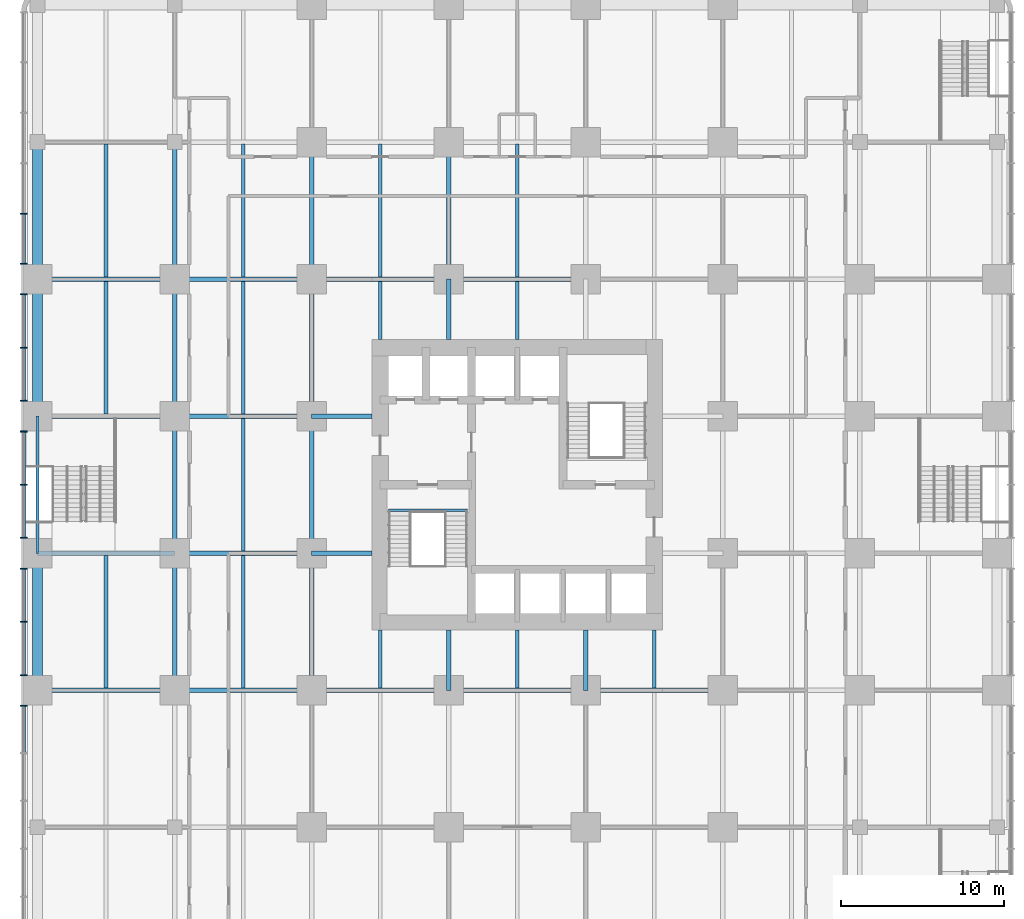
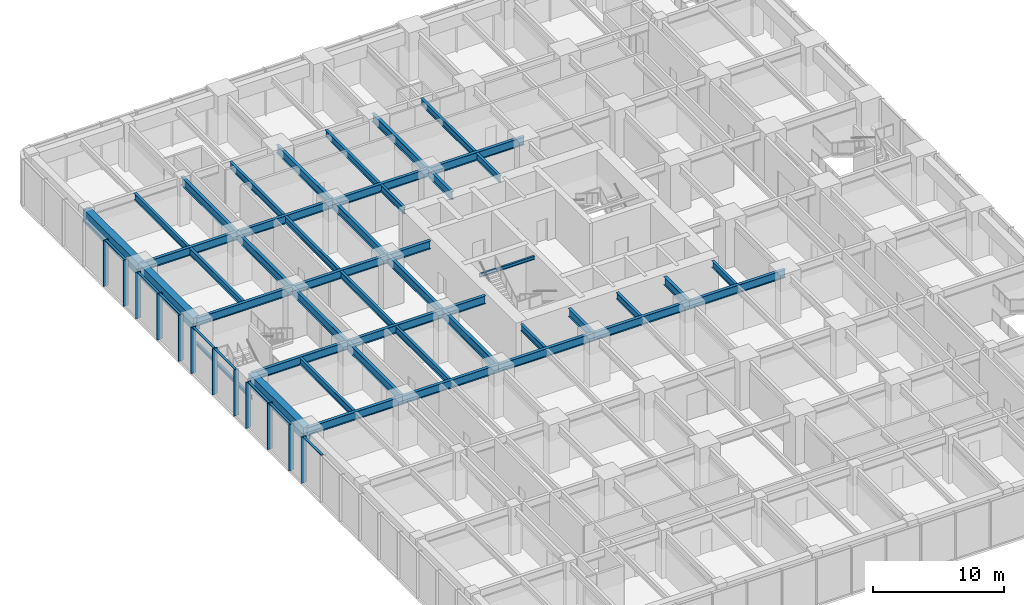
# One storey, part 5 of 19: 46 beams, 20 members, 1 element without a shape of its own.
"""IFC4 building model written with IfcOpenShell, lengths in metres."""

from ifc_helpers import new_model, si_unit, direction, frame, origin, origin_2d, place, context, subcontext, project, spatial, rectangle, i_section, extrude, material, material_profile, profile_set, type_object, element, aggregate, save


model = new_model("IFC4")

# Units and contexts
model_context = context("Model", 3, precision=1e-05, world=origin(), true_north=direction((0.0, 1.0)))
body_context = subcontext(model_context, "Body", "Model", "MODEL_VIEW")
ifc_project = project(units=[si_unit("LENGTHUNIT", "METRE"), si_unit("AREAUNIT", "SQUARE_METRE"), si_unit("VOLUMEUNIT", "CUBIC_METRE"), si_unit("PLANEANGLEUNIT", "RADIAN"), si_unit("MASSUNIT", "GRAM", prefix="KILO")], contexts=[model_context])

# Site, building, storey
site_placement = place(None, origin())
site = spatial("IfcSite", under=ifc_project, at=site_placement, CompositionType="ELEMENT")
building_placement = place(site_placement, origin())
building = spatial("IfcBuilding", under=site, at=building_placement, Name="Torre Alcanfor", CompositionType="ELEMENT")
storey_placement = place(building_placement, frame((0.0, 0.0, 6.0)))
storey = spatial("IfcBuildingStorey", under=building, at=storey_placement, Name="L01", CompositionType="ELEMENT", Elevation=6.0)

# Curtain wall, members
ifc_material_1 = material(Name="Aluminium and glass", Category="aluminium")
curtain_wall_type = type_object("IfcCurtainWallType", Name="CW-B unitised classroom glazing with vertical FIN", PredefinedType="NOTDEFINED", material=ifc_material_1)
curtain_wall_placement = place(storey_placement, origin())
curtain_wall = element("IfcCurtainWall", 1, at=curtain_wall_placement, inside=storey, type_object=curtain_wall_type, Name="Curtain wall CW-B L01 3", PredefinedType="NOTDEFINED")
ifc_material_2 = material(Name="Bronze anodised aluminium", Category="aluminium")
ifc_material_profile_1 = material_profile(ifc_material_2, rectangle(XDim=0.449951171875, YDim=0.06494140625, at=origin_2d()), Name="CW-B mullion 65x450")
ifc_profile_set_1 = profile_set([ifc_material_profile_1], Name="Bronze anodised aluminium")
member_type_1 = type_object("IfcMemberType", Name="CW-B mullion with vertical FIN 65x450", PredefinedType="MULLION", material=ifc_profile_set_1)
member_1_placement = place(storey_placement, frame((-0.85009765625, 46.00390625, 0.0), z_axis=(0.0, 0.0, 1.0), x_axis=(1.0, 0.0, 0.0)))
member_1 = element("IfcMember", 2, at=member_1_placement, type_object=member_type_1, Name="CW-B mullion 1.5", PredefinedType="MULLION", context=body_context, shape_type="SweptSolid", body=[
    extrude(rectangle(XDim=0.449951171875, YDim=0.06494140625, at=origin_2d()), origin(), (0.0, 0.0, 1.0), 4.300048828125),
])
member_2_placement = place(storey_placement, frame((-0.85009765625, 42.9375, 0.0), z_axis=(0.0, 0.0, 1.0), x_axis=(1.0, 0.0, 0.0)))
member_2 = element("IfcMember", 3, at=member_2_placement, type_object=member_type_1, Name="CW-B mullion 1.6", PredefinedType="MULLION", context=body_context, shape_type="SweptSolid", body=[
    extrude(rectangle(XDim=0.449951171875, YDim=0.06494140625, at=origin_2d()), origin(), (0.0, 0.0, 1.0), 4.300048828125),
])
member_3_placement = place(storey_placement, frame((-0.85009765625, 41.0625, 0.0), z_axis=(0.0, 0.0, 1.0), x_axis=(1.0, 0.0, 0.0)))
member_3 = element("IfcMember", 4, at=member_3_placement, type_object=member_type_1, Name="CW-B mullion 2.1", PredefinedType="MULLION", context=body_context, shape_type="SweptSolid", body=[
    extrude(rectangle(XDim=0.449951171875, YDim=0.06494140625, at=origin_2d()), origin(), (0.0, 0.0, 1.0), 4.300048828125),
])
member_4_placement = place(storey_placement, frame((-0.85009765625, 37.800048828125, 0.0), z_axis=(0.0, 0.0, 1.0), x_axis=(1.0, 0.0, 0.0)))
member_4 = element("IfcMember", 5, at=member_4_placement, type_object=member_type_1, Name="CW-B mullion 2.2", PredefinedType="MULLION", context=body_context, shape_type="SweptSolid", body=[
    extrude(rectangle(XDim=0.449951171875, YDim=0.06494140625, at=origin_2d()), origin(), (0.0, 0.0, 1.0), 4.300048828125),
])
member_5_placement = place(storey_placement, frame((-0.85009765625, 34.53759765625, 0.0), z_axis=(0.0, 0.0, 1.0), x_axis=(1.0, 0.0, 0.0)))
member_5 = element("IfcMember", 6, at=member_5_placement, type_object=member_type_1, Name="CW-B mullion 2.3", PredefinedType="MULLION", context=body_context, shape_type="SweptSolid", body=[
    extrude(rectangle(XDim=0.449951171875, YDim=0.06494140625, at=origin_2d()), origin(), (0.0, 0.0, 1.0), 4.300048828125),
])
member_6_placement = place(storey_placement, frame((-0.85009765625, 32.66259765625, 0.0), z_axis=(0.0, 0.0, 1.0), x_axis=(1.0, 0.0, 0.0)))
member_6 = element("IfcMember", 7, at=member_6_placement, type_object=member_type_1, Name="CW-B mullion 3.1", PredefinedType="MULLION", context=body_context, shape_type="SweptSolid", body=[
    extrude(rectangle(XDim=0.449951171875, YDim=0.06494140625, at=origin_2d()), origin(), (0.0, 0.0, 1.0), 4.300048828125),
])
member_7_placement = place(storey_placement, frame((-0.85009765625, 29.39990234375, 0.0), z_axis=(0.0, 0.0, 1.0), x_axis=(1.0, 0.0, 0.0)))
member_7 = element("IfcMember", 8, at=member_7_placement, type_object=member_type_1, Name="CW-B mullion 3.2", PredefinedType="MULLION", context=body_context, shape_type="SweptSolid", body=[
    extrude(rectangle(XDim=0.449951171875, YDim=0.06494140625, at=origin_2d()), origin(), (0.0, 0.0, 1.0), 4.300048828125),
])
member_8_placement = place(storey_placement, frame((-0.85009765625, 26.137451171875, 0.0), z_axis=(0.0, 0.0, 1.0), x_axis=(1.0, 0.0, 0.0)))
member_8 = element("IfcMember", 9, at=member_8_placement, type_object=member_type_1, Name="CW-B mullion 3.3", PredefinedType="MULLION", context=body_context, shape_type="SweptSolid", body=[
    extrude(rectangle(XDim=0.449951171875, YDim=0.06494140625, at=origin_2d()), origin(), (0.0, 0.0, 1.0), 4.300048828125),
])
member_9_placement = place(storey_placement, frame((-0.85009765625, 24.262451171875, 0.0), z_axis=(0.0, 0.0, 1.0), x_axis=(1.0, 0.0, 0.0)))
member_9 = element("IfcMember", 10, at=member_9_placement, type_object=member_type_1, Name="CW-B mullion 4.1", PredefinedType="MULLION", context=body_context, shape_type="SweptSolid", body=[
    extrude(rectangle(XDim=0.449951171875, YDim=0.06494140625, at=origin_2d()), origin(), (0.0, 0.0, 1.0), 4.300048828125),
])
member_10_placement = place(storey_placement, frame((-0.85009765625, 21.0, 0.0), z_axis=(0.0, 0.0, 1.0), x_axis=(1.0, 0.0, 0.0)))
member_10 = element("IfcMember", 11, at=member_10_placement, type_object=member_type_1, Name="CW-B mullion 4.2", PredefinedType="MULLION", context=body_context, shape_type="SweptSolid", body=[
    extrude(rectangle(XDim=0.449951171875, YDim=0.06494140625, at=origin_2d()), origin(), (0.0, 0.0, 1.0), 4.300048828125),
])
member_11_placement = place(storey_placement, frame((-0.85009765625, 17.737548828125, 0.0), z_axis=(0.0, 0.0, 1.0), x_axis=(1.0, 0.0, 0.0)))
member_11 = element("IfcMember", 12, at=member_11_placement, type_object=member_type_1, Name="CW-B mullion 4.3", PredefinedType="MULLION", context=body_context, shape_type="SweptSolid", body=[
    extrude(rectangle(XDim=0.449951171875, YDim=0.06494140625, at=origin_2d()), origin(), (0.0, 0.0, 1.0), 4.300048828125),
])
member_12_placement = place(storey_placement, frame((-0.85009765625, 15.862548828125, 0.0), z_axis=(0.0, 0.0, 1.0), x_axis=(1.0, 0.0, 0.0)))
member_12 = element("IfcMember", 13, at=member_12_placement, type_object=member_type_1, Name="CW-B mullion 5.1", PredefinedType="MULLION", context=body_context, shape_type="SweptSolid", body=[
    extrude(rectangle(XDim=0.449951171875, YDim=0.06494140625, at=origin_2d()), origin(), (0.0, 0.0, 1.0), 4.300048828125),
])
ifc_material_3 = material(Name="Extruded aluminium", Category="aluminium")
ifc_material_profile_2 = material_profile(ifc_material_3, rectangle(XDim=0.199951171875, YDim=0.06494140625, at=origin_2d()), Name="CW-B transom 200x65")
ifc_profile_set_2 = profile_set([ifc_material_profile_2], Name="Extruded aluminium")
member_type_2 = type_object("IfcMemberType", Name="CW-B transom 65x200", PredefinedType="USERDEFINED", material=ifc_profile_set_2)
member_13_placement = place(storey_placement, frame((-0.85009765625, 45.971435546875, 4.267578125), z_axis=(0.0, -1.0, 0.0), x_axis=(1.0, 0.0, 0.0)))
member_13 = element("IfcMember", 14, at=member_13_placement, type_object=member_type_2, Name="CW-B transom 1.5.2", ObjectType="TRANSOM", PredefinedType="USERDEFINED", context=body_context, shape_type="SweptSolid", body=[
    extrude(rectangle(XDim=0.199951171875, YDim=0.06494140625, at=origin_2d()), origin(), (0.0, 0.0, 1.0), 3.00146484375),
])
member_14_placement = place(storey_placement, frame((-0.85009765625, 41.030029296875, 4.267578125), z_axis=(0.0, -1.0, 0.0), x_axis=(1.0, 0.0, 0.0)))
member_14 = element("IfcMember", 15, at=member_14_placement, type_object=member_type_2, Name="CW-B transom 2.1.2", ObjectType="TRANSOM", PredefinedType="USERDEFINED", context=body_context, shape_type="SweptSolid", body=[
    extrude(rectangle(XDim=0.199951171875, YDim=0.06494140625, at=origin_2d()), origin(), (0.0, 0.0, 1.0), 3.197509765625),
])
member_15_placement = place(storey_placement, frame((-0.85009765625, 37.767578125, 4.267578125), z_axis=(0.0, -1.0, 0.0), x_axis=(1.0, 0.0, 0.0)))
member_15 = element("IfcMember", 16, at=member_15_placement, type_object=member_type_2, Name="CW-B transom 2.2.2", ObjectType="TRANSOM", PredefinedType="USERDEFINED", context=body_context, shape_type="SweptSolid", body=[
    extrude(rectangle(XDim=0.199951171875, YDim=0.06494140625, at=origin_2d()), origin(), (0.0, 0.0, 1.0), 3.197509765625),
])
member_16_placement = place(storey_placement, frame((-0.85009765625, 32.6298828125, 4.267578125), z_axis=(0.0, -1.0, 0.0), x_axis=(1.0, 0.0, 0.0)))
member_16 = element("IfcMember", 17, at=member_16_placement, type_object=member_type_2, Name="CW-B transom 3.1.2", ObjectType="TRANSOM", PredefinedType="USERDEFINED", context=body_context, shape_type="SweptSolid", body=[
    extrude(rectangle(XDim=0.199951171875, YDim=0.06494140625, at=origin_2d()), origin(), (0.0, 0.0, 1.0), 3.197265625),
])
member_17_placement = place(storey_placement, frame((-0.85009765625, 29.367431640625, 4.267578125), z_axis=(0.0, -1.0, 0.0), x_axis=(1.0, 0.0, 0.0)))
member_17 = element("IfcMember", 18, at=member_17_placement, type_object=member_type_2, Name="CW-B transom 3.2.2", ObjectType="TRANSOM", PredefinedType="USERDEFINED", context=body_context, shape_type="SweptSolid", body=[
    extrude(rectangle(XDim=0.199951171875, YDim=0.06494140625, at=origin_2d()), origin(), (0.0, 0.0, 1.0), 3.197509765625),
])
member_18_placement = place(storey_placement, frame((-0.85009765625, 24.22998046875, 4.267578125), z_axis=(0.0, -1.0, 0.0), x_axis=(1.0, 0.0, 0.0)))
member_18 = element("IfcMember", 19, at=member_18_placement, type_object=member_type_2, Name="CW-B transom 4.1.2", ObjectType="TRANSOM", PredefinedType="USERDEFINED", context=body_context, shape_type="SweptSolid", body=[
    extrude(rectangle(XDim=0.199951171875, YDim=0.06494140625, at=origin_2d()), origin(), (0.0, 0.0, 1.0), 3.197509765625),
])
member_19_placement = place(storey_placement, frame((-0.85009765625, 20.967529296875, 4.267578125), z_axis=(0.0, -1.0, 0.0), x_axis=(1.0, 0.0, 0.0)))
member_19 = element("IfcMember", 20, at=member_19_placement, type_object=member_type_2, Name="CW-B transom 4.2.2", ObjectType="TRANSOM", PredefinedType="USERDEFINED", context=body_context, shape_type="SweptSolid", body=[
    extrude(rectangle(XDim=0.199951171875, YDim=0.06494140625, at=origin_2d()), origin(), (0.0, 0.0, 1.0), 3.197509765625),
])
member_20_placement = place(storey_placement, frame((-0.85009765625, 15.830078125, 4.267578125), z_axis=(0.0, -1.0, 0.0), x_axis=(1.0, 0.0, 0.0)))
member_20 = element("IfcMember", 21, at=member_20_placement, type_object=member_type_2, Name="CW-B transom 5.1.2", ObjectType="TRANSOM", PredefinedType="USERDEFINED", context=body_context, shape_type="SweptSolid", body=[
    extrude(rectangle(XDim=0.199951171875, YDim=0.06494140625, at=origin_2d()), origin(), (0.0, 0.0, 1.0), 2.83837890625),
])
aggregate(curtain_wall, [member_1, member_2, member_13, member_3, member_4, member_5, member_14, member_15, member_6, member_7, member_8, member_16, member_17, member_9, member_10, member_11, member_18, member_19, member_12, member_20])

# Beams
ifc_material_4 = material(Name="Steel ASTM A992 Grade 50", Category="steel")
ifc_material_profile_3 = material_profile(ifc_material_4, i_section(OverallWidth=0.2666015625, OverallDepth=0.7568359375, WebThickness=0.013916015625, FlangeThickness=0.019287109375, at=origin_2d()), Name="W30x108")
ifc_profile_set_3 = profile_set([ifc_material_profile_3], Name="Steel ASTM A992 Grade 50")
beam_type_1 = type_object("IfcBeamType", Name="Girder W30x108", PredefinedType="BEAM", material=ifc_profile_set_3)
beam_1_placement = place(storey_placement, frame((0.0, 16.800048828125, 3.921630859375), z_axis=(1.0, 0.0, 0.0), x_axis=(0.0, 1.0, 0.0)))
element("IfcBeam", 22, at=beam_1_placement, inside=storey, type_object=beam_type_1, Name="Beam 1E-2E under L02", PredefinedType="BEAM", context=body_context, shape_type="SweptSolid", body=[
    extrude(i_section(OverallWidth=0.2666015625, OverallDepth=0.7568359375, WebThickness=0.013916015625, FlangeThickness=0.019287109375, at=origin_2d()), origin(), (0.0, 0.0, 1.0), 8.39990234375),
])
beam_2_placement = place(storey_placement, frame((8.39990234375, 16.800048828125, 3.921630859375), z_axis=(1.0, 0.0, 0.0), x_axis=(0.0, 1.0, 0.0)))
element("IfcBeam", 23, at=beam_2_placement, inside=storey, type_object=beam_type_1, Name="Beam 2E-3E under L02", PredefinedType="BEAM", context=body_context, shape_type="SweptSolid", body=[
    extrude(i_section(OverallWidth=0.2666015625, OverallDepth=0.7568359375, WebThickness=0.013916015625, FlangeThickness=0.019287109375, at=origin_2d()), origin(), (0.0, 0.0, 1.0), 8.400146484375),
])
beam_3_placement = place(storey_placement, frame((16.800048828125, 16.800048828125, 3.921630859375), z_axis=(1.0, 0.0, 0.0), x_axis=(0.0, 1.0, 0.0)))
element("IfcBeam", 24, at=beam_3_placement, inside=storey, type_object=beam_type_1, Name="Beam 3E-4E under L02", PredefinedType="BEAM", context=body_context, shape_type="SweptSolid", body=[
    extrude(i_section(OverallWidth=0.2666015625, OverallDepth=0.7568359375, WebThickness=0.013916015625, FlangeThickness=0.019287109375, at=origin_2d()), origin(), (0.0, 0.0, 1.0), 8.39990234375),
])
beam_4_placement = place(storey_placement, frame((25.199951171875, 16.800048828125, 3.921630859375), z_axis=(1.0, 0.0, 0.0), x_axis=(0.0, 1.0, 0.0)))
element("IfcBeam", 25, at=beam_4_placement, inside=storey, type_object=beam_type_1, Name="Beam 4E-5E under L02", PredefinedType="BEAM", context=body_context, shape_type="SweptSolid", body=[
    extrude(i_section(OverallWidth=0.2666015625, OverallDepth=0.7568359375, WebThickness=0.013916015625, FlangeThickness=0.019287109375, at=origin_2d()), origin(), (0.0, 0.0, 1.0), 8.400146484375),
])
for number, where, z_axis, x_axis, name in (
    (26, (33.60009765625, 16.800048828125, 3.921630859375), (1.0, 0.0, 0.0), (0.0, 1.0, 0.0), "Beam 5E-6E under L02"),
    (27, (0.0, 25.199951171875, 3.921630859375), (1.0, 0.0, 0.0), (0.0, 1.0, 0.0), "Beam 1F-2F under L02"),
):
    element("IfcBeam", number, at=place(storey_placement, frame(where, z_axis=z_axis, x_axis=x_axis)), inside=storey, type_object=beam_type_1, Name=name, PredefinedType="BEAM", context=body_context, shape_type="SweptSolid", body=[
        extrude(i_section(OverallWidth=0.2666015625, OverallDepth=0.7568359375, WebThickness=0.013916015625, FlangeThickness=0.019287109375, at=origin_2d()), origin(), (0.0, 0.0, 1.0), 8.39990234375),
    ])
beam_5_placement = place(storey_placement, frame((8.39990234375, 25.199951171875, 3.921630859375), z_axis=(1.0, 0.0, 0.0), x_axis=(0.0, 1.0, 0.0)))
element("IfcBeam", 28, at=beam_5_placement, inside=storey, type_object=beam_type_1, Name="Beam 2F-3F under L02", PredefinedType="BEAM", context=body_context, shape_type="SweptSolid", body=[
    extrude(i_section(OverallWidth=0.2666015625, OverallDepth=0.7568359375, WebThickness=0.013916015625, FlangeThickness=0.019287109375, at=origin_2d()), origin(), (0.0, 0.0, 1.0), 8.400146484375),
])
beam_6_placement = place(storey_placement, frame((0.0, 33.60009765625, 3.921630859375), z_axis=(1.0, 0.0, 0.0), x_axis=(0.0, 1.0, 0.0)))
element("IfcBeam", 29, at=beam_6_placement, inside=storey, type_object=beam_type_1, Name="Beam 1G-2G under L02", PredefinedType="BEAM", context=body_context, shape_type="SweptSolid", body=[
    extrude(i_section(OverallWidth=0.2666015625, OverallDepth=0.7568359375, WebThickness=0.013916015625, FlangeThickness=0.019287109375, at=origin_2d()), origin(), (0.0, 0.0, 1.0), 8.39990234375),
])
beam_7_placement = place(storey_placement, frame((8.39990234375, 33.60009765625, 3.921630859375), z_axis=(1.0, 0.0, 0.0), x_axis=(0.0, 1.0, 0.0)))
element("IfcBeam", 30, at=beam_7_placement, inside=storey, type_object=beam_type_1, Name="Beam 2G-3G under L02", PredefinedType="BEAM", context=body_context, shape_type="SweptSolid", body=[
    extrude(i_section(OverallWidth=0.2666015625, OverallDepth=0.7568359375, WebThickness=0.013916015625, FlangeThickness=0.019287109375, at=origin_2d()), origin(), (0.0, 0.0, 1.0), 8.400146484375),
])
beam_8_placement = place(storey_placement, frame((0.0, 42.0, 3.921630859375), z_axis=(1.0, 0.0, 0.0), x_axis=(0.0, 1.0, 0.0)))
element("IfcBeam", 31, at=beam_8_placement, inside=storey, type_object=beam_type_1, Name="Beam 1H-2H under L02", PredefinedType="BEAM", context=body_context, shape_type="SweptSolid", body=[
    extrude(i_section(OverallWidth=0.2666015625, OverallDepth=0.7568359375, WebThickness=0.013916015625, FlangeThickness=0.019287109375, at=origin_2d()), origin(), (0.0, 0.0, 1.0), 8.39990234375),
])
beam_9_placement = place(storey_placement, frame((8.39990234375, 42.0, 3.921630859375), z_axis=(1.0, 0.0, 0.0), x_axis=(0.0, 1.0, 0.0)))
element("IfcBeam", 32, at=beam_9_placement, inside=storey, type_object=beam_type_1, Name="Beam 2H-3H under L02", PredefinedType="BEAM", context=body_context, shape_type="SweptSolid", body=[
    extrude(i_section(OverallWidth=0.2666015625, OverallDepth=0.7568359375, WebThickness=0.013916015625, FlangeThickness=0.019287109375, at=origin_2d()), origin(), (0.0, 0.0, 1.0), 8.400146484375),
])
beam_10_placement = place(storey_placement, frame((16.800048828125, 42.0, 3.921630859375), z_axis=(1.0, 0.0, 0.0), x_axis=(0.0, 1.0, 0.0)))
element("IfcBeam", 33, at=beam_10_placement, inside=storey, type_object=beam_type_1, Name="Beam 3H-4H under L02", PredefinedType="BEAM", context=body_context, shape_type="SweptSolid", body=[
    extrude(i_section(OverallWidth=0.2666015625, OverallDepth=0.7568359375, WebThickness=0.013916015625, FlangeThickness=0.019287109375, at=origin_2d()), origin(), (0.0, 0.0, 1.0), 8.39990234375),
])
beam_11_placement = place(storey_placement, frame((25.199951171875, 42.0, 3.921630859375), z_axis=(1.0, 0.0, 0.0), x_axis=(0.0, 1.0, 0.0)))
element("IfcBeam", 34, at=beam_11_placement, inside=storey, type_object=beam_type_1, Name="Beam 4H-5H under L02", PredefinedType="BEAM", context=body_context, shape_type="SweptSolid", body=[
    extrude(i_section(OverallWidth=0.2666015625, OverallDepth=0.7568359375, WebThickness=0.013916015625, FlangeThickness=0.019287109375, at=origin_2d()), origin(), (0.0, 0.0, 1.0), 8.400146484375),
])
beam_12_placement = place(storey_placement, frame((8.39990234375, 16.800048828125, 3.921630859375), z_axis=(0.0, 1.0, 0.0), x_axis=(-1.0, 0.0, 0.0)))
element("IfcBeam", 35, at=beam_12_placement, inside=storey, type_object=beam_type_1, Name="Beam 2E-2F under L02", PredefinedType="BEAM", context=body_context, shape_type="SweptSolid", body=[
    extrude(i_section(OverallWidth=0.2666015625, OverallDepth=0.7568359375, WebThickness=0.013916015625, FlangeThickness=0.019287109375, at=origin_2d()), origin(), (0.0, 0.0, 1.0), 8.39990234375),
])
beam_13_placement = place(storey_placement, frame((8.39990234375, 25.199951171875, 3.921630859375), z_axis=(0.0, 1.0, 0.0), x_axis=(-1.0, 0.0, 0.0)))
element("IfcBeam", 36, at=beam_13_placement, inside=storey, type_object=beam_type_1, Name="Beam 2F-2G under L02", PredefinedType="BEAM", context=body_context, shape_type="SweptSolid", body=[
    extrude(i_section(OverallWidth=0.2666015625, OverallDepth=0.7568359375, WebThickness=0.013916015625, FlangeThickness=0.019287109375, at=origin_2d()), origin(), (0.0, 0.0, 1.0), 8.400146484375),
])
for number, where, z_axis, x_axis, name in (
    (37, (8.39990234375, 33.60009765625, 3.921630859375), (0.0, 1.0, 0.0), (-1.0, 0.0, 0.0), "Beam 2G-2H under L02"),
    (38, (8.39990234375, 42.0, 3.921630859375), (0.0, 1.0, 0.0), (-1.0, 0.0, 0.0), "Beam 2H-2J under L02"),
    (39, (16.800048828125, 16.800048828125, 3.921630859375), (0.0, 1.0, 0.0), (-1.0, 0.0, 0.0), "Beam 3E-3F under L02"),
):
    element("IfcBeam", number, at=place(storey_placement, frame(where, z_axis=z_axis, x_axis=x_axis)), inside=storey, type_object=beam_type_1, Name=name, PredefinedType="BEAM", context=body_context, shape_type="SweptSolid", body=[
        extrude(i_section(OverallWidth=0.2666015625, OverallDepth=0.7568359375, WebThickness=0.013916015625, FlangeThickness=0.019287109375, at=origin_2d()), origin(), (0.0, 0.0, 1.0), 8.39990234375),
    ])
beam_14_placement = place(storey_placement, frame((16.800048828125, 25.199951171875, 3.921630859375), z_axis=(0.0, 1.0, 0.0), x_axis=(-1.0, 0.0, 0.0)))
element("IfcBeam", 40, at=beam_14_placement, inside=storey, type_object=beam_type_1, Name="Beam 3F-3G under L02", PredefinedType="BEAM", context=body_context, shape_type="SweptSolid", body=[
    extrude(i_section(OverallWidth=0.2666015625, OverallDepth=0.7568359375, WebThickness=0.013916015625, FlangeThickness=0.019287109375, at=origin_2d()), origin(), (0.0, 0.0, 1.0), 8.400146484375),
])
for number, where, z_axis, x_axis, name in (
    (41, (16.800048828125, 33.60009765625, 3.921630859375), (0.0, 1.0, 0.0), (-1.0, 0.0, 0.0), "Beam 3G-3H under L02"),
    (42, (16.800048828125, 42.0, 3.921630859375), (0.0, 1.0, 0.0), (-1.0, 0.0, 0.0), "Beam 3H-3J under L02"),
    (43, (25.199951171875, 42.0, 3.921630859375), (0.0, 1.0, 0.0), (-1.0, 0.0, 0.0), "Beam 4H-4J under L02"),
):
    element("IfcBeam", number, at=place(storey_placement, frame(where, z_axis=z_axis, x_axis=x_axis)), inside=storey, type_object=beam_type_1, Name=name, PredefinedType="BEAM", context=body_context, shape_type="SweptSolid", body=[
        extrude(i_section(OverallWidth=0.2666015625, OverallDepth=0.7568359375, WebThickness=0.013916015625, FlangeThickness=0.019287109375, at=origin_2d()), origin(), (0.0, 0.0, 1.0), 8.39990234375),
    ])
ifc_material_5 = material(Name="Steel ASTM A992 Grade 50", Category="steel")
ifc_material_profile_4 = material_profile(ifc_material_5, i_section(OverallWidth=0.2666015625, OverallDepth=0.7568359375, WebThickness=0.013916015625, FlangeThickness=0.019287109375, at=origin_2d()), Name="W30x108")
ifc_profile_set_4 = profile_set([ifc_material_profile_4], Name="Steel ASTM A992 Grade 50")
beam_type_2 = type_object("IfcBeamType", Name="Girder, part bay W30x108", PredefinedType="BEAM", material=ifc_profile_set_4)
for number, where, z_axis, x_axis, name in (
    (44, (25.199951171875, 16.800048828125, 3.921630859375), (0.0, 1.0, 0.0), (-1.0, 0.0, 0.0), "Beam 4E-420_5 under L02"),
    (45, (25.199951171875, 42.0, 3.921630859375), (0.0, -1.0, 0.0), (1.0, 0.0, 0.0), "Beam 4H-438_3 under L02"),
    (46, (33.60009765625, 16.800048828125, 3.921630859375), (0.0, 1.0, 0.0), (-1.0, 0.0, 0.0), "Beam 5E-520_5 under L02"),
    (47, (16.800048828125, 25.199951171875, 3.921630859375), (1.0, 0.0, 0.0), (0.0, 1.0, 0.0), "Beam 3F-20_5F under L02"),
    (48, (16.800048828125, 33.60009765625, 3.921630859375), (1.0, 0.0, 0.0), (0.0, 1.0, 0.0), "Beam 3G-20_5G under L02"),
):
    element("IfcBeam", number, at=place(storey_placement, frame(where, z_axis=z_axis, x_axis=x_axis)), inside=storey, type_object=beam_type_2, Name=name, PredefinedType="BEAM", context=body_context, shape_type="SweptSolid", body=[
        extrude(i_section(OverallWidth=0.2666015625, OverallDepth=0.7568359375, WebThickness=0.013916015625, FlangeThickness=0.019287109375, at=origin_2d()), origin(), (0.0, 0.0, 1.0), 3.699951171875),
    ])
ifc_material_6 = material(Name="Concrete f'c 70 MPa", Category="concrete")
ifc_material_profile_5 = material_profile(ifc_material_6, rectangle(XDim=0.60009765625, YDim=1.199951171875, at=origin_2d()), Name="600x1200")
ifc_profile_set_5 = profile_set([ifc_material_profile_5], Name="Concrete f'c 70 MPa")
beam_type_3 = type_object("IfcBeamType", Name="RC perimeter beam 600x1200", PredefinedType="BEAM", material=ifc_profile_set_5)
for number, where, z_axis, x_axis, name in (
    (49, (0.0, 16.800048828125, 3.699951171875), (0.0, 1.0, 0.0), (-1.0, 0.0, 0.0), "Beam 1E-1F under L02"),
    (50, (0.0, 33.60009765625, 3.699951171875), (0.0, 1.0, 0.0), (-1.0, 0.0, 0.0), "Beam 1G-1H under L02"),
    (51, (0.0, 42.0, 3.699951171875), (0.0, 1.0, 0.0), (-1.0, 0.0, 0.0), "Beam 1H-1J under L02"),
):
    element("IfcBeam", number, at=place(storey_placement, frame(where, z_axis=z_axis, x_axis=x_axis)), inside=storey, type_object=beam_type_3, Name=name, PredefinedType="BEAM", context=body_context, shape_type="SweptSolid", body=[
        extrude(rectangle(XDim=0.60009765625, YDim=1.199951171875, at=origin_2d()), origin(), (0.0, 0.0, 1.0), 8.39990234375),
    ])
ifc_material_7 = material(Name="Steel ASTM A992 Grade 50", Category="steel")
ifc_material_profile_6 = material_profile(ifc_material_7, i_section(OverallWidth=0.203369140625, OverallDepth=0.30224609375, WebThickness=0.007568359375, FlangeThickness=0.01318359375, at=origin_2d()), Name="W12x40")
ifc_profile_set_6 = profile_set([ifc_material_profile_6], Name="Steel ASTM A992 Grade 50")
beam_type_4 = type_object("IfcBeamType", Name="School stair landing beam W12x40", PredefinedType="BEAM", material=ifc_profile_set_6)
beam_15_placement = place(storey_placement, frame((0.0, 25.199951171875, 1.89892578125), z_axis=(0.0, 1.0, 0.0), x_axis=(-1.0, 0.0, 0.0)))
element("IfcBeam", 52, at=beam_15_placement, inside=storey, type_object=beam_type_4, Name="Landing beam SS1 L01", PredefinedType="BEAM", context=body_context, shape_type="SweptSolid", body=[
    extrude(i_section(OverallWidth=0.203369140625, OverallDepth=0.30224609375, WebThickness=0.007568359375, FlangeThickness=0.01318359375, at=origin_2d()), origin(), (0.0, 0.0, 1.0), 8.400146484375),
])
ifc_material_8 = material(Name="Steel ASTM A992 Grade 50", Category="steel")
ifc_material_profile_7 = material_profile(ifc_material_8, i_section(OverallWidth=0.22900390625, OverallDepth=0.612060546875, WebThickness=0.011962890625, FlangeThickness=0.01953125, at=origin_2d()), Name="W24x84")
ifc_profile_set_7 = profile_set([ifc_material_profile_7], Name="Steel ASTM A992 Grade 50")
beam_type_5 = type_object("IfcBeamType", Name="Secondary beam W24x84", PredefinedType="BEAM", material=ifc_profile_set_7)
beam_16_placement = place(storey_placement, frame((4.199951171875, 16.93310546875, 3.993896484375), z_axis=(0.0, 1.0, 0.0), x_axis=(-1.0, 0.0, 0.0)))
element("IfcBeam", 53, at=beam_16_placement, inside=storey, type_object=beam_type_5, Name="Beam 4_2E-4_2F under L02", PredefinedType="BEAM", context=body_context, shape_type="SweptSolid", body=[
    extrude(i_section(OverallWidth=0.22900390625, OverallDepth=0.612060546875, WebThickness=0.011962890625, FlangeThickness=0.01953125, at=origin_2d()), origin(), (0.0, 0.0, 1.0), 8.1337890625),
])
for number, where, z_axis, x_axis, name in (
    (54, (4.199951171875, 33.73291015625, 3.993896484375), (0.0, 1.0, 0.0), (-1.0, 0.0, 0.0), "Beam 4_2G-4_2H under L02"),
    (55, (4.199951171875, 42.133056640625, 3.993896484375), (0.0, 1.0, 0.0), (-1.0, 0.0, 0.0), "Beam 4_2H-4_2J under L02"),
):
    element("IfcBeam", number, at=place(storey_placement, frame(where, z_axis=z_axis, x_axis=x_axis)), inside=storey, type_object=beam_type_5, Name=name, PredefinedType="BEAM", context=body_context, shape_type="SweptSolid", body=[
        extrude(i_section(OverallWidth=0.22900390625, OverallDepth=0.612060546875, WebThickness=0.011962890625, FlangeThickness=0.01953125, at=origin_2d()), origin(), (0.0, 0.0, 1.0), 8.134033203125),
    ])
beam_17_placement = place(storey_placement, frame((12.60009765625, 16.93310546875, 3.993896484375), z_axis=(0.0, 1.0, 0.0), x_axis=(-1.0, 0.0, 0.0)))
element("IfcBeam", 56, at=beam_17_placement, inside=storey, type_object=beam_type_5, Name="Beam 12_6E-12_6F under L02", PredefinedType="BEAM", context=body_context, shape_type="SweptSolid", body=[
    extrude(i_section(OverallWidth=0.22900390625, OverallDepth=0.612060546875, WebThickness=0.011962890625, FlangeThickness=0.01953125, at=origin_2d()), origin(), (0.0, 0.0, 1.0), 8.1337890625),
])
for number, where, z_axis, x_axis, name in (
    (57, (12.60009765625, 25.3330078125, 3.993896484375), (0.0, 1.0, 0.0), (-1.0, 0.0, 0.0), "Beam 12_6F-12_6G under L02"),
    (58, (12.60009765625, 33.73291015625, 3.993896484375), (0.0, 1.0, 0.0), (-1.0, 0.0, 0.0), "Beam 12_6G-12_6H under L02"),
    (59, (12.60009765625, 42.133056640625, 3.993896484375), (0.0, 1.0, 0.0), (-1.0, 0.0, 0.0), "Beam 12_6H-12_6J under L02"),
    (60, (21.0, 42.133056640625, 3.993896484375), (0.0, 1.0, 0.0), (-1.0, 0.0, 0.0), "Beam 21H-21J under L02"),
    (61, (29.39990234375, 42.133056640625, 3.993896484375), (0.0, 1.0, 0.0), (-1.0, 0.0, 0.0), "Beam 29_4H-29_4J under L02"),
):
    element("IfcBeam", number, at=place(storey_placement, frame(where, z_axis=z_axis, x_axis=x_axis)), inside=storey, type_object=beam_type_5, Name=name, PredefinedType="BEAM", context=body_context, shape_type="SweptSolid", body=[
        extrude(i_section(OverallWidth=0.22900390625, OverallDepth=0.612060546875, WebThickness=0.011962890625, FlangeThickness=0.01953125, at=origin_2d()), origin(), (0.0, 0.0, 1.0), 8.134033203125),
    ])
ifc_material_9 = material(Name="Steel ASTM A992 Grade 50", Category="steel")
ifc_material_profile_8 = material_profile(ifc_material_9, i_section(OverallWidth=0.22900390625, OverallDepth=0.612060546875, WebThickness=0.011962890625, FlangeThickness=0.01953125, at=origin_2d()), Name="W24x84")
ifc_profile_set_8 = profile_set([ifc_material_profile_8], Name="Steel ASTM A992 Grade 50")
beam_type_6 = type_object("IfcBeamType", Name="Secondary beam, part bay W24x84", PredefinedType="BEAM", material=ifc_profile_set_8)
for number, where, z_axis, x_axis, name in (
    (62, (21.0, 16.93310546875, 3.993896484375), (0.0, 1.0, 0.0), (-1.0, 0.0, 0.0), "Beam 21E-2120_5 under L02"),
    (63, (21.0, 38.300048828125, 3.993896484375), (0.0, 1.0, 0.0), (-1.0, 0.0, 0.0), "Beam 2138_3-21H under L02"),
    (64, (29.39990234375, 16.93310546875, 3.993896484375), (0.0, 1.0, 0.0), (-1.0, 0.0, 0.0), "Beam 29_4E-29_420_5 under L02"),
    (65, (29.39990234375, 38.300048828125, 3.993896484375), (0.0, 1.0, 0.0), (-1.0, 0.0, 0.0), "Beam 29_438_3-29_4H under L02"),
    (66, (37.800048828125, 16.93310546875, 3.993896484375), (0.0, 1.0, 0.0), (-1.0, 0.0, 0.0), "Beam 37_8E-37_820_5 under L02"),
):
    element("IfcBeam", number, at=place(storey_placement, frame(where, z_axis=z_axis, x_axis=x_axis)), inside=storey, type_object=beam_type_6, Name=name, PredefinedType="BEAM", context=body_context, shape_type="SweptSolid", body=[
        extrude(i_section(OverallWidth=0.22900390625, OverallDepth=0.612060546875, WebThickness=0.011962890625, FlangeThickness=0.01953125, at=origin_2d()), origin(), (0.0, 0.0, 1.0), 3.56689453125),
    ])
ifc_material_10 = material(Name="Steel ASTM A992 Grade 50", Category="steel")
ifc_material_profile_9 = material_profile(ifc_material_10, i_section(OverallWidth=0.164794921875, OverallDepth=0.309814453125, WebThickness=0.005859375, FlangeThickness=0.009765625, at=origin_2d()), Name="W12x26")
ifc_profile_set_9 = profile_set([ifc_material_profile_9], Name="Steel ASTM A992 Grade 50")
beam_type_7 = type_object("IfcBeamType", Name="Stair landing beam W12x26", PredefinedType="BEAM", material=ifc_profile_set_9)
beam_18_placement = place(storey_placement, frame((21.5, 27.83740234375, 4.14501953125), z_axis=(1.0, 0.0, 0.0), x_axis=(0.0, 1.0, 0.0)))
element("IfcBeam", 67, at=beam_18_placement, inside=storey, type_object=beam_type_7, Name="Landing trimmer S1 L02", PredefinedType="BEAM", context=body_context, shape_type="SweptSolid", body=[
    extrude(i_section(OverallWidth=0.164794921875, OverallDepth=0.309814453125, WebThickness=0.005859375, FlangeThickness=0.009765625, at=origin_2d()), origin(), (0.0, 0.0, 1.0), 4.85009765625),
])

save(model, "model.ifc")
